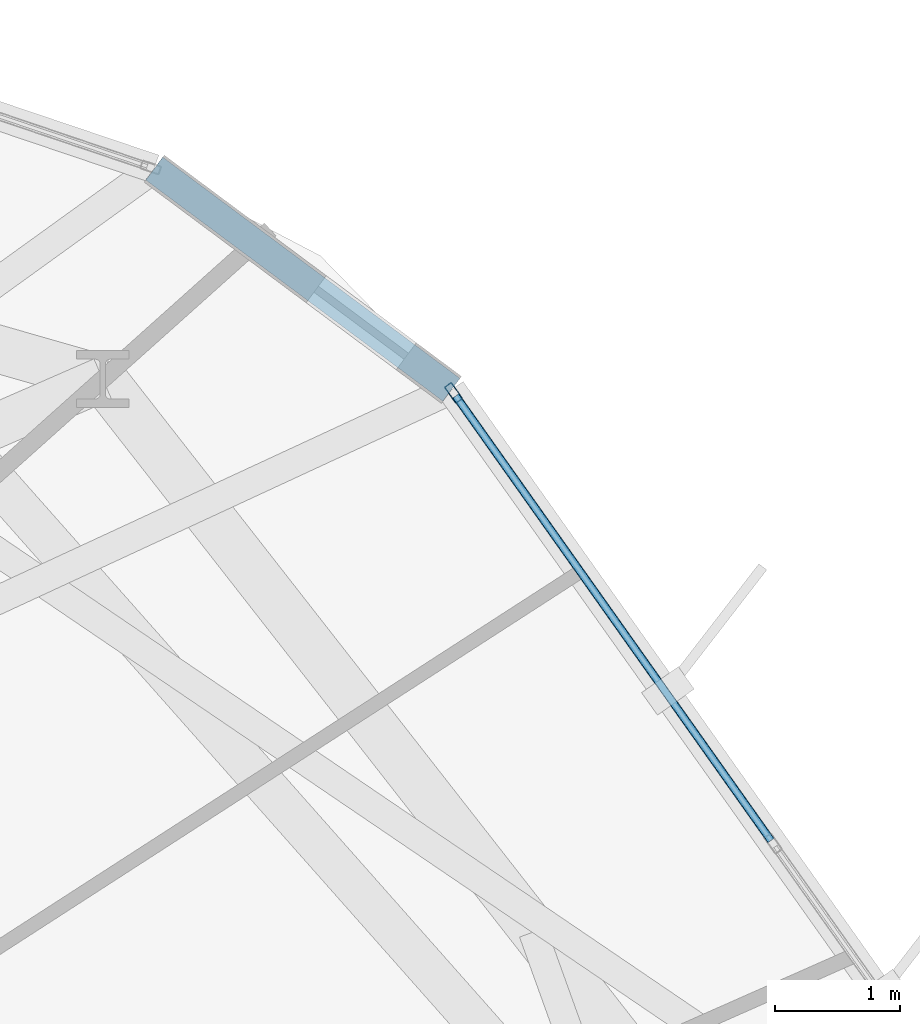
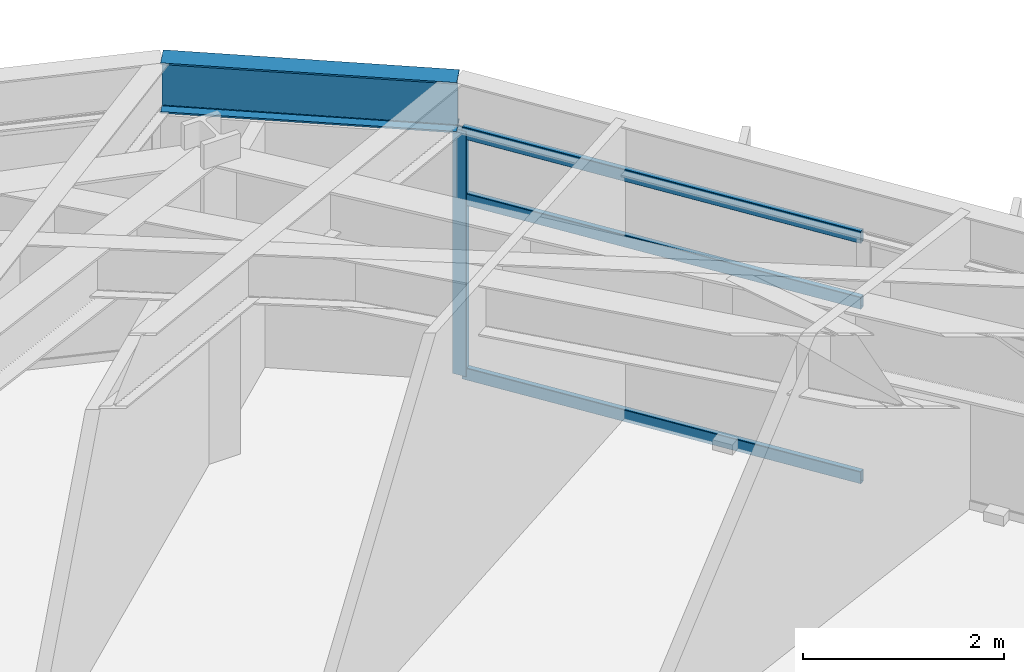
# One storey, part 20 of 27: 4 members, 1 beam, 1 element without a shape of its own.
"""IFC4 building model written with IfcOpenShell, lengths in metres."""

from ifc_helpers import new_model, si_unit, direction, frame, origin, origin_2d, place, context, subcontext, project, spatial, hollow_rectangle, i_section, extrude, material, layer, layer_set, material_profile, profile_set, type_object, element, aggregate, save


model = new_model("IFC4")

# Units and contexts
model_context = context("Model", 3, precision=1e-05, world=origin(), true_north=direction((0.0, 1.0)))
body_context = subcontext(model_context, "Body", "Model", "MODEL_VIEW")
ifc_project = project(units=[si_unit("LENGTHUNIT", "METRE"), si_unit("AREAUNIT", "SQUARE_METRE"), si_unit("VOLUMEUNIT", "CUBIC_METRE"), si_unit("PLANEANGLEUNIT", "RADIAN"), si_unit("MASSUNIT", "GRAM", prefix="KILO")], contexts=[model_context])

# Site, building, storey
site_placement = place(None, origin())
site = spatial("IfcSite", under=ifc_project, at=site_placement, CompositionType="ELEMENT")
building_placement = place(site_placement, origin())
building = spatial("IfcBuilding", under=site, at=building_placement, Name="Soratama Intermodal Tower", CompositionType="ELEMENT")
storey_placement = place(building_placement, frame((0.0, 0.0, 95.199951171875)))
storey = spatial("IfcBuildingStorey", under=building, at=storey_placement, Name="L22", CompositionType="ELEMENT", Elevation=95.199951171875)

# Beam
ifc_material_1 = material(Name="Structural steel ASTM A992 Grade 50", Category="steel")
ifc_material_profile_1 = material_profile(ifc_material_1, i_section(OverallWidth=0.22900390625, OverallDepth=0.612060546875, WebThickness=0.011962890625, FlangeThickness=0.01953125, FilletRadius=0.012939453125, at=origin_2d()), Name="W24X84")
ifc_profile_set_1 = profile_set([ifc_material_profile_1], Name="Structural steel ASTM A992 Grade 50")
beam_type = type_object("IfcBeamType", Name="BM-SPN-W24X84", PredefinedType="SPANDREL", material=ifc_profile_set_1)
beam_placement = place(storey_placement, frame((57.52197265625, 39.340087890625, 3.2939453125), z_axis=(-0.802246054274, 0.59699352459, 0.0), x_axis=(-0.59699352459, -0.802246054274, 0.0)))
element("IfcBeam", 1, at=beam_placement, inside=storey, type_object=beam_type, Name="BS-L22-CRN01", PredefinedType="SPANDREL", context=body_context, shape_type="SweptSolid", body=[
    extrude(i_section(OverallWidth=0.22900390625, OverallDepth=0.612060546875, WebThickness=0.011962890625, FlangeThickness=0.01953125, FilletRadius=0.012939453125, at=origin_2d()), origin(), (0.0, 0.0, 1.0), 2.966552734375),
])

# Curtain wall, members
ifc_material_2 = material(Name="Double-glazed aluminium curtain wall", Category="aluminium")
ifc_layer = layer(ifc_material_2, 0.159912109375)
ifc_layer_set = layer_set([ifc_layer], Name="Double-glazed aluminium curtain wall")
curtain_wall_type = type_object("IfcCurtainWallType", Name="CW-SYS-3", PredefinedType="NOTDEFINED", material=ifc_layer_set)
curtain_wall_placement = place(storey_placement, origin())
curtain_wall = element("IfcCurtainWall", 2, at=curtain_wall_placement, inside=storey, type_object=curtain_wall_type, Name="L22 Faceted Curtain Wall F01", PredefinedType="NOTDEFINED")
ifc_material_3 = material(Name="Anodised aluminium AA 6063-T6", Category="aluminium")
ifc_material_profile_2 = material_profile(ifc_material_3, hollow_rectangle(XDim=0.070068359375, YDim=0.159912109375, WallThickness=0.0048828125, InnerFilletRadius=0.0048828125, OuterFilletRadius=0.010009765625, at=origin_2d()), Name="CWM160X70X5")
ifc_profile_set_2 = profile_set([ifc_material_profile_2], Name="Anodised aluminium AA 6063-T6")
member_type_1 = type_object("IfcMemberType", Name="MT-CWM-3", PredefinedType="MULLION", material=ifc_profile_set_2)
member_1_placement = place(storey_placement, frame((57.5390625, 39.31494140625, 0.0), z_axis=(0.0, 0.0, 1.0), x_axis=(-0.815736261587, -0.578424023993, 0.0)))
member_1 = element("IfcMember", 3, at=member_1_placement, type_object=member_type_1, Name="CW-3 mullion 3", PredefinedType="MULLION", context=body_context, shape_type="SweptSolid", body=[
    extrude(hollow_rectangle(XDim=0.070068359375, YDim=0.159912109375, WallThickness=0.0048828125, InnerFilletRadius=0.0048828125, OuterFilletRadius=0.010009765625, at=origin_2d()), origin(), (0.0, 0.0, 1.0), 2.97900390625),
])
ifc_material_4 = material(Name="Anodised aluminium AA 6063-T6", Category="aluminium")
ifc_material_profile_3 = material_profile(ifc_material_4, hollow_rectangle(XDim=0.06494140625, YDim=0.14990234375, WallThickness=0.0048828125, InnerFilletRadius=0.0048828125, OuterFilletRadius=0.010009765625, at=origin_2d()), Name="CWT150X65X5")
ifc_profile_set_3 = profile_set([ifc_material_profile_3], Name="Anodised aluminium AA 6063-T6")
member_type_2 = type_object("IfcMemberType", Name="TT-CWT-1", PredefinedType="USERDEFINED", material=ifc_profile_set_3)
member_2_placement = place(storey_placement, frame((60.080810546875, 35.73046875, 0.030029296875), z_axis=(-0.578430130917, 0.815731931241, 0.0), x_axis=(-0.815731931241, -0.578430130917, 0.0)))
member_2 = element("IfcMember", 4, at=member_2_placement, type_object=member_type_2, Name="CW-3 transom 2.1", ObjectType="TRANSOM", PredefinedType="USERDEFINED", context=body_context, shape_type="SweptSolid", body=[
    extrude(hollow_rectangle(XDim=0.06494140625, YDim=0.14990234375, WallThickness=0.0048828125, InnerFilletRadius=0.0048828125, OuterFilletRadius=0.010009765625, at=origin_2d()), origin(), (0.0, 0.0, 1.0), 4.3642578125),
])
member_3_placement = place(storey_placement, frame((60.080810546875, 35.73046875, 2.150146484375), z_axis=(-0.578430130917, 0.815731931241, 0.0), x_axis=(-0.815731931241, -0.578430130917, 0.0)))
member_3 = element("IfcMember", 5, at=member_3_placement, type_object=member_type_2, Name="CW-3 transom 2.2", ObjectType="TRANSOM", PredefinedType="USERDEFINED", context=body_context, shape_type="SweptSolid", body=[
    extrude(hollow_rectangle(XDim=0.06494140625, YDim=0.14990234375, WallThickness=0.0048828125, InnerFilletRadius=0.0048828125, OuterFilletRadius=0.010009765625, at=origin_2d()), origin(), (0.0, 0.0, 1.0), 4.3642578125),
])
member_4_placement = place(storey_placement, frame((60.080810546875, 35.73046875, 2.948974609375), z_axis=(-0.578430130917, 0.815731931241, 0.0), x_axis=(-0.815731931241, -0.578430130917, 0.0)))
member_4 = element("IfcMember", 6, at=member_4_placement, type_object=member_type_2, Name="CW-3 transom 2.3", ObjectType="TRANSOM", PredefinedType="USERDEFINED", context=body_context, shape_type="SweptSolid", body=[
    extrude(hollow_rectangle(XDim=0.06494140625, YDim=0.14990234375, WallThickness=0.0048828125, InnerFilletRadius=0.0048828125, OuterFilletRadius=0.010009765625, at=origin_2d()), origin(), (0.0, 0.0, 1.0), 4.3642578125),
])
aggregate(curtain_wall, [member_1, member_2, member_3, member_4])

save(model, "model.ifc")
